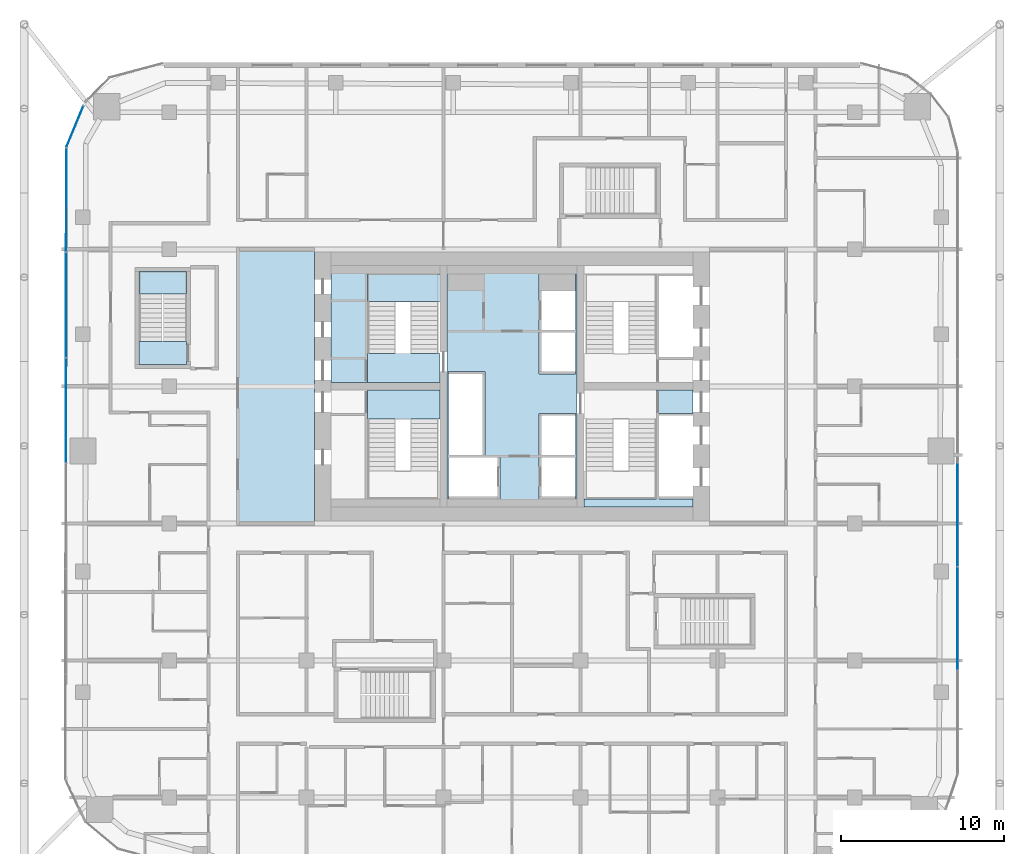
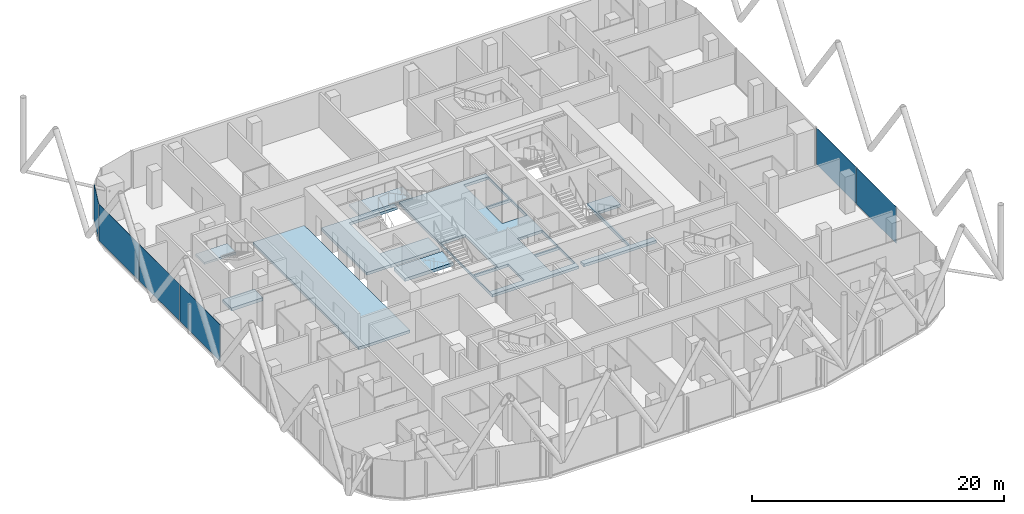
# One storey, part 21 of 33: 9 slabs, 6 plates, 5 elements without a shape of their own.
"""IFC4 building model written with IfcOpenShell, lengths in metres."""

from ifc_helpers import new_model, si_unit, direction, frame, origin, origin_2d, place, context, subcontext, project, spatial, polyline, rectangle, outline, extrude, material, layer, layer_set, type_object, element, aggregate, save


model = new_model("IFC4")

# Units and contexts
model_context = context("Model", 3, precision=1e-05, world=origin(), true_north=direction((0.0, 1.0)))
body_context = subcontext(model_context, "Body", "Model", "MODEL_VIEW")
ifc_project = project(units=[si_unit("LENGTHUNIT", "METRE"), si_unit("AREAUNIT", "SQUARE_METRE"), si_unit("VOLUMEUNIT", "CUBIC_METRE"), si_unit("PLANEANGLEUNIT", "RADIAN"), si_unit("MASSUNIT", "GRAM", prefix="KILO")], contexts=[model_context])

# Site, building, storey
site_placement = place(None, origin())
site = spatial("IfcSite", under=ifc_project, at=site_placement, CompositionType="ELEMENT")
building_placement = place(site_placement, origin())
building = spatial("IfcBuilding", under=site, at=building_placement, Name="Marenta Gate Hotel Tower", CompositionType="ELEMENT")
storey_placement = place(building_placement, frame((0.0, 0.0, 151.699951171875)))
storey = spatial("IfcBuildingStorey", under=building, at=storey_placement, Name="L35", CompositionType="ELEMENT", Elevation=151.699951171875)

# Slabs
ifc_material_1 = material(Name="Concrete C40", Category="concrete")
ifc_layer_1 = layer(ifc_material_1, 0.260009765625)
ifc_layer_set_1 = layer_set([ifc_layer_1], Name="Concrete C40")
slab_type_1 = type_object("IfcSlabType", Name="Core floor slab 260", PredefinedType="FLOOR", material=ifc_layer_set_1)
slab_1_placement = place(storey_placement, frame((0.0, 0.0, -0.260009765625)))
element("IfcSlab", 1, at=slab_1_placement, inside=storey, type_object=slab_type_1, Name="L35-CF-2", PredefinedType="FLOOR", context=body_context, shape_type="SweptSolid", body=[
    extrude(outline(polyline([(8.85009765625, 1.5), (8.85009765625, 6.39990234375), (8.85009765625, 8.10009765625), (8.85009765625, 8.175048828125), (11.10009765625, 8.175048828125), (11.10009765625, 6.75), (9.0, 6.75), (9.0, 6.60009765625), (9.0, 4.199951171875), (9.0, 4.050048828125), (9.0, 1.64990234375), (9.0, 1.5), (11.10009765625, 1.5), (11.10009765625, 1.0), (4.425048828125, 1.0), (4.425048828125, 1.5), (8.85009765625, 1.5)])), origin(), (0.0, 0.0, 1.0), 0.260009765625),
])
slab_2_placement = place(storey_placement, frame((0.0, 0.0, -0.260009765625)))
element("IfcSlab", 2, at=slab_2_placement, inside=storey, type_object=slab_type_1, Name="L35-CF-4", PredefinedType="FLOOR", context=body_context, shape_type="SweptSolid", body=[
    extrude(outline(polyline([(3.97509765625, 15.300048828125), (3.97509765625, 10.39990234375), (3.97509765625, 6.39990234375), (3.97509765625, 1.5), (3.97509765625, 1.0), (-3.97509765625, 1.0), (-3.97509765625, 1.5), (-3.97509765625, 6.39990234375), (-3.97509765625, 10.39990234375), (-3.97509765625, 15.300048828125), (-3.97509765625, 15.800048828125), (3.97509765625, 15.800048828125), (3.97509765625, 15.300048828125)]), holes=[polyline([(1.64990234375, 1.5), (3.89990234375, 1.5), (3.89990234375, 1.64990234375), (3.89990234375, 4.050048828125), (1.800048828125, 4.050048828125), (1.64990234375, 4.050048828125), (1.64990234375, 1.64990234375), (1.64990234375, 1.5)]), polyline([(1.64990234375, 6.60009765625), (1.64990234375, 4.199951171875), (1.800048828125, 4.199951171875), (3.89990234375, 4.199951171875), (3.89990234375, 6.60009765625), (3.89990234375, 6.75), (1.64990234375, 6.75), (1.64990234375, 6.60009765625)]), polyline([(1.64990234375, 9.14990234375), (3.89990234375, 9.14990234375), (3.89990234375, 9.300048828125), (3.89990234375, 11.699951171875), (1.800048828125, 11.699951171875), (1.64990234375, 11.699951171875), (1.64990234375, 9.300048828125), (1.64990234375, 9.14990234375)]), polyline([(1.64990234375, 15.300048828125), (1.64990234375, 14.25), (1.64990234375, 11.85009765625), (1.800048828125, 11.85009765625), (3.89990234375, 11.85009765625), (3.89990234375, 14.25), (3.89990234375, 15.300048828125), (1.64990234375, 15.300048828125)]), polyline([(-3.89990234375, 4.050048828125), (-3.89990234375, 1.64990234375), (-3.89990234375, 1.5), (-0.89990234375, 1.5), (-0.75, 1.5), (-0.75, 4.050048828125), (-0.89990234375, 4.050048828125), (-3.89990234375, 4.050048828125)]), polyline([(-1.800048828125, 4.199951171875), (-1.64990234375, 4.199951171875), (-1.64990234375, 9.14990234375), (-1.64990234375, 9.300048828125), (-3.89990234375, 9.300048828125), (-3.89990234375, 9.14990234375), (-3.89990234375, 6.75), (-3.89990234375, 6.60009765625), (-3.89990234375, 4.199951171875), (-1.800048828125, 4.199951171875)])]), origin(), (0.0, 0.0, 1.0), 0.260009765625),
])
slab_3_placement = place(storey_placement, frame((0.0, 0.0, -0.260009765625)))
element("IfcSlab", 3, at=slab_3_placement, inside=storey, type_object=slab_type_1, Name="L35-CF-6", PredefinedType="FLOOR", context=body_context, shape_type="SweptSolid", body=[
    extrude(outline(polyline([(-4.425048828125, 15.300048828125), (-8.85009765625, 15.300048828125), (-8.85009765625, 10.39990234375), (-8.85009765625, 8.699951171875), (-8.85009765625, 8.625), (-11.10009765625, 8.625), (-11.10009765625, 15.800048828125), (-4.425048828125, 15.800048828125), (-4.425048828125, 15.300048828125)])), origin(), (0.0, 0.0, 1.0), 0.260009765625),
])
slab_4_placement = place(storey_placement, frame((0.0, 0.0, -0.260009765625)))
element("IfcSlab", 4, at=slab_4_placement, inside=storey, type_object=slab_type_1, Name="L35-CF-7", PredefinedType="FLOOR", context=body_context, shape_type="SweptSolid", body=[
    extrude(outline(polyline([(-12.10009765625, 16.800048828125), (-12.10009765625, 0.0), (-16.800048828125, 0.0), (-16.800048828125, 16.800048828125), (-12.10009765625, 16.800048828125)])), origin(), (0.0, 0.0, 1.0), 0.260009765625),
])

# Stair, slab
ifc_material_2 = material(Name="Concrete C40", Category="concrete")
stair_type_1 = type_object("IfcStairType", Name="Core exit stair 1700 wide", PredefinedType="HALF_TURN_STAIR", material=ifc_material_2)
stair_1_placement = place(storey_placement, origin())
stair_1 = element("IfcStair", 5, at=stair_1_placement, inside=storey, type_object=stair_type_1, Name="Exit stair 2", PredefinedType="HALF_TURN_STAIR")
ifc_material_3 = material(Name="Concrete C40", Category="concrete")
ifc_layer_2 = layer(ifc_material_3, 0.199951171875)
ifc_layer_set_2 = layer_set([ifc_layer_2], Name="Concrete C40")
slab_type_2 = type_object("IfcSlabType", Name="Core stair landing 200", PredefinedType="LANDING", material=ifc_layer_set_2)
slab_5_placement = place(storey_placement, frame((0.0, 0.0, 1.60009765625)))
slab_5 = element("IfcSlab", 6, at=slab_5_placement, type_object=slab_type_2, Name="SL-200 ST2 landing 1", PredefinedType="LANDING", context=body_context, shape_type="SweptSolid", body=[
    extrude(outline(polyline([(-8.85009765625, 13.590087890625), (-3.97509765625, 13.590087890625), (-3.97509765625, 15.300048828125), (-8.85009765625, 15.300048828125), (-8.85009765625, 13.590087890625)])), origin(), (0.0, 0.0, 1.0), 0.199951171875),
])
aggregate(stair_1, [slab_5])

# Curtain wall, plate
ifc_material_4 = material(Name="Tinted insulated glass in bronze anodised frame", Category="glass")
ifc_layer_3 = layer(ifc_material_4, 0.1201171875)
ifc_layer_set_3 = layer_set([ifc_layer_3], Name="Tinted insulated glass in bronze anodised frame")
curtain_wall_type = type_object("IfcCurtainWallType", Name="Tower unitised curtain wall CW1", PredefinedType="NOTDEFINED", material=ifc_layer_set_3)
curtain_wall_1_placement = place(storey_placement, origin())
curtain_wall_1 = element("IfcCurtainWall", 7, at=curtain_wall_1_placement, inside=storey, type_object=curtain_wall_type, Name="CW1 run G03", PredefinedType="NOTDEFINED")
ifc_material_5 = material(Name="Tinted insulated glass", Category="glass")
ifc_layer_4 = layer(ifc_material_5, 0.028076171875)
ifc_layer_set_4 = layer_set([ifc_layer_4], Name="Tinted insulated glass")
plate_type = type_object("IfcPlateType", Name="Glass panel CW1 28 mm tinted insulated unit", PredefinedType="CURTAIN_PANEL", material=ifc_layer_set_4)
plate_1_placement = place(storey_placement, frame((-26.791015625, 24.324462890625, 0.06005859375), z_axis=(0.0, 0.0, 1.0), x_axis=(-0.382683829775, -0.923879367898, 0.0)))
plate_1 = element("IfcPlate", 8, at=plate_1_placement, type_object=plate_type, Name="CW1 panel 1.1", PredefinedType="CURTAIN_PANEL", context=body_context, shape_type="SweptSolid", body=[
    extrude(rectangle(XDim=2.72412109375, YDim=0.028076171875, at=origin_2d()), origin(), (0.0, 0.0, 1.0), 3.5400390625),
])
aggregate(curtain_wall_1, [plate_1])

# Curtain wall, plates
curtain_wall_2_placement = place(storey_placement, origin())
curtain_wall_2 = element("IfcCurtainWall", 9, at=curtain_wall_2_placement, inside=storey, type_object=curtain_wall_type, Name="CW1 run G04", PredefinedType="NOTDEFINED")
plate_2_placement = place(storey_placement, frame((-27.3173828125, 19.8212890625, 0.06005859375), z_axis=(0.0, 0.0, 1.0), x_axis=(-0.001566045546, -0.99999877375, 0.0)))
plate_2 = element("IfcPlate", 10, at=plate_2_placement, type_object=plate_type, Name="CW1 panel 1.1", PredefinedType="CURTAIN_PANEL", context=body_context, shape_type="SweptSolid", body=[
    extrude(rectangle(XDim=6.3701171875, YDim=0.028076171875, at=origin_2d()), origin(), (0.0, 0.0, 1.0), 3.5400390625),
])
plate_3_placement = place(storey_placement, frame((-27.327392578125, 13.376220703125, 0.06005859375), z_axis=(0.0, 0.0, 1.0), x_axis=(-0.001566045546, -0.99999877375, 0.0)))
plate_3 = element("IfcPlate", 11, at=plate_3_placement, type_object=plate_type, Name="CW1 panel 2.1", PredefinedType="CURTAIN_PANEL", context=body_context, shape_type="SweptSolid", body=[
    extrude(rectangle(XDim=6.39990234375, YDim=0.028076171875, at=origin_2d()), origin(), (0.0, 0.0, 1.0), 3.5400390625),
])
plate_4_placement = place(storey_placement, frame((-27.337646484375, 6.916259765625, 0.06005859375), z_axis=(0.0, 0.0, 1.0), x_axis=(-0.001566045546, -0.99999877375, 0.0)))
plate_4 = element("IfcPlate", 12, at=plate_4_placement, type_object=plate_type, Name="CW1 panel 3.1", PredefinedType="CURTAIN_PANEL", context=body_context, shape_type="SweptSolid", body=[
    extrude(rectangle(XDim=6.39990234375, YDim=0.028076171875, at=origin_2d()), origin(), (0.0, 0.0, 1.0), 3.5400390625),
])
aggregate(curtain_wall_2, [plate_2, plate_3, plate_4])

curtain_wall_3_placement = place(storey_placement, origin())
curtain_wall_3 = element("IfcCurtainWall", 13, at=curtain_wall_3_placement, inside=storey, type_object=curtain_wall_type, Name="CW1 run G19", PredefinedType="NOTDEFINED")
plate_5_placement = place(storey_placement, frame((27.31396484375, -5.828125, 0.06005859375), z_axis=(0.0, 0.0, 1.0), x_axis=(0.0, 1.0, 0.0)))
plate_5 = element("IfcPlate", 14, at=plate_5_placement, type_object=plate_type, Name="CW1 panel 2.1", PredefinedType="CURTAIN_PANEL", context=body_context, shape_type="SweptSolid", body=[
    extrude(rectangle(XDim=6.300048828125, YDim=0.028076171875, at=origin_2d()), origin(), (0.0, 0.0, 1.0), 3.5400390625),
])
plate_6_placement = place(storey_placement, frame((27.31396484375, 0.531982421875, 0.06005859375), z_axis=(0.0, 0.0, 1.0), x_axis=(0.0, 1.0, 0.0)))
plate_6 = element("IfcPlate", 15, at=plate_6_placement, type_object=plate_type, Name="CW1 panel 3.1", PredefinedType="CURTAIN_PANEL", context=body_context, shape_type="SweptSolid", body=[
    extrude(rectangle(XDim=6.300048828125, YDim=0.028076171875, at=origin_2d()), origin(), (0.0, 0.0, 1.0), 3.5400390625),
])
aggregate(curtain_wall_3, [plate_5, plate_6])

# Stair, slab
ifc_material_6 = material(Name="Concrete C40", Category="concrete")
stair_type_2 = type_object("IfcStairType", Name="Remote exit stair 1400 wide", PredefinedType="HALF_TURN_STAIR", material=ifc_material_6)
stair_2_placement = place(storey_placement, origin())
stair_2 = element("IfcStair", 16, at=stair_2_placement, inside=storey, type_object=stair_type_2, Name="Exit stair RS-Z1-3", PredefinedType="HALF_TURN_STAIR")
ifc_material_7 = material(Name="Concrete C40", Category="concrete")
ifc_layer_5 = layer(ifc_material_7, 0.199951171875)
ifc_layer_set_5 = layer_set([ifc_layer_5], Name="Concrete C40")
slab_type_3 = type_object("IfcSlabType", Name="Remote stair landing 200", PredefinedType="LANDING", material=ifc_layer_set_5)
slab_6_placement = place(storey_placement, frame((0.0, 0.0, 1.60009765625)))
slab_6 = element("IfcSlab", 17, at=slab_6_placement, type_object=slab_type_3, Name="RL-200 RS-Z1-3 landing 1", PredefinedType="LANDING", context=body_context, shape_type="SweptSolid", body=[
    extrude(outline(polyline([(-22.85009765625, 14.050048828125), (-19.949951171875, 14.050048828125), (-19.949951171875, 15.449951171875), (-22.85009765625, 15.449951171875), (-22.85009765625, 14.050048828125)])), origin(), (0.0, 0.0, 1.0), 0.199951171875),
])
aggregate(stair_2, [slab_6])

# Slabs
ifc_material_8 = material(Name="Concrete C40", Category="concrete")
ifc_layer_6 = layer(ifc_material_8, 0.300048828125)
ifc_layer_set_6 = layer_set([ifc_layer_6], Name="Concrete C40")
slab_type_4 = type_object("IfcSlabType", Name="Stair floor landing slab 300", PredefinedType="FLOOR", material=ifc_layer_set_6)
slab_7_placement = place(storey_placement, frame((0.0, 0.0, -0.300048828125)))
element("IfcSlab", 18, at=slab_7_placement, inside=storey, type_object=slab_type_4, Name="L35-CL-ST1-1", PredefinedType="FLOOR", context=body_context, shape_type="SweptSolid", body=[
    extrude(outline(polyline([(-4.425048828125, 6.39990234375), (-8.85009765625, 6.39990234375), (-8.85009765625, 8.10009765625), (-8.85009765625, 8.175048828125), (-4.425048828125, 8.175048828125), (-4.425048828125, 6.39990234375)])), origin(), (0.0, 0.0, 1.0), 0.300048828125),
])
slab_8_placement = place(storey_placement, frame((0.0, 0.0, -0.300048828125)))
element("IfcSlab", 19, at=slab_8_placement, inside=storey, type_object=slab_type_4, Name="L35-CL-ST2-1", PredefinedType="FLOOR", context=body_context, shape_type="SweptSolid", body=[
    extrude(outline(polyline([(-4.425048828125, 8.625), (-8.85009765625, 8.625), (-8.85009765625, 8.699951171875), (-8.85009765625, 10.39990234375), (-4.425048828125, 10.39990234375), (-4.425048828125, 8.625)])), origin(), (0.0, 0.0, 1.0), 0.300048828125),
])
slab_9_placement = place(storey_placement, frame((0.0, 0.0, -0.300048828125)))
element("IfcSlab", 20, at=slab_9_placement, inside=storey, type_object=slab_type_4, Name="L35-RS-Z1-3-CL", PredefinedType="FLOOR", context=body_context, shape_type="SweptSolid", body=[
    extrude(outline(polyline([(-19.949951171875, 9.75), (-19.949951171875, 11.14990234375), (-22.85009765625, 11.14990234375), (-22.85009765625, 9.75), (-19.949951171875, 9.75)])), origin(), (0.0, 0.0, 1.0), 0.300048828125),
])

save(model, "model.ifc")
